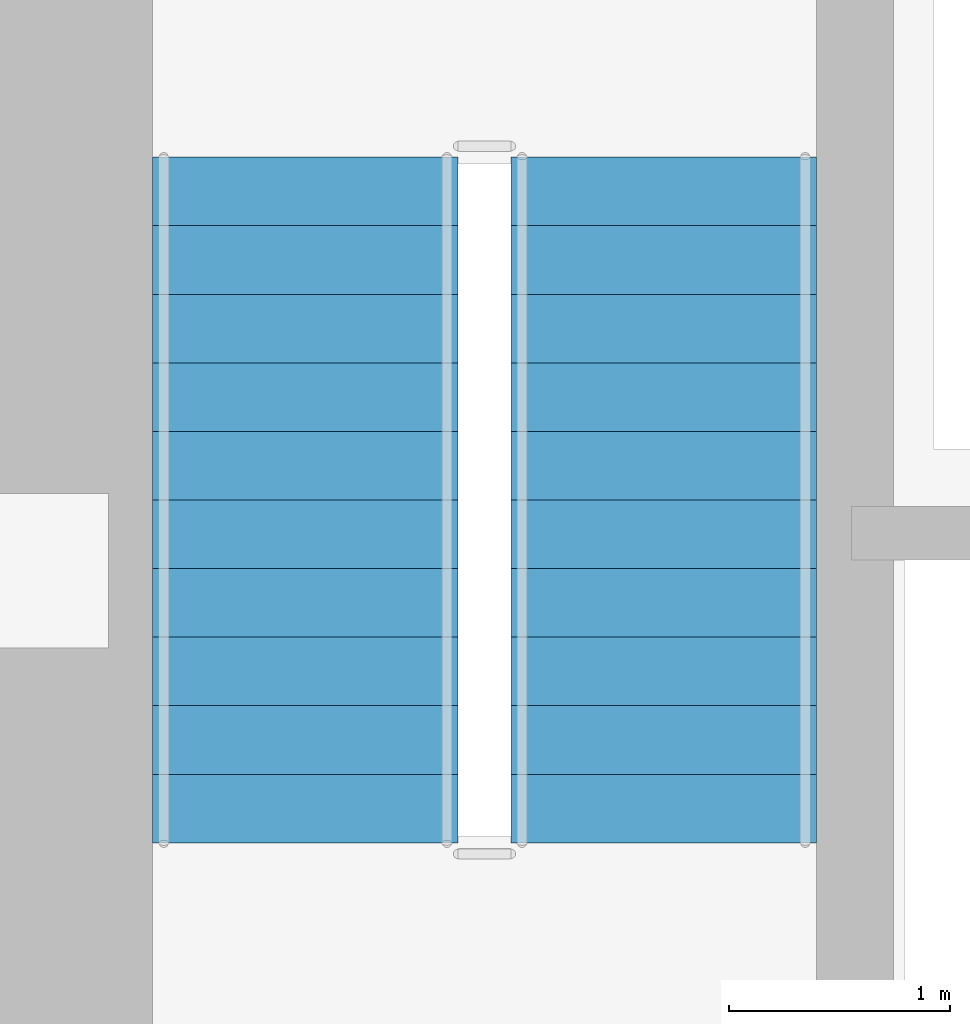
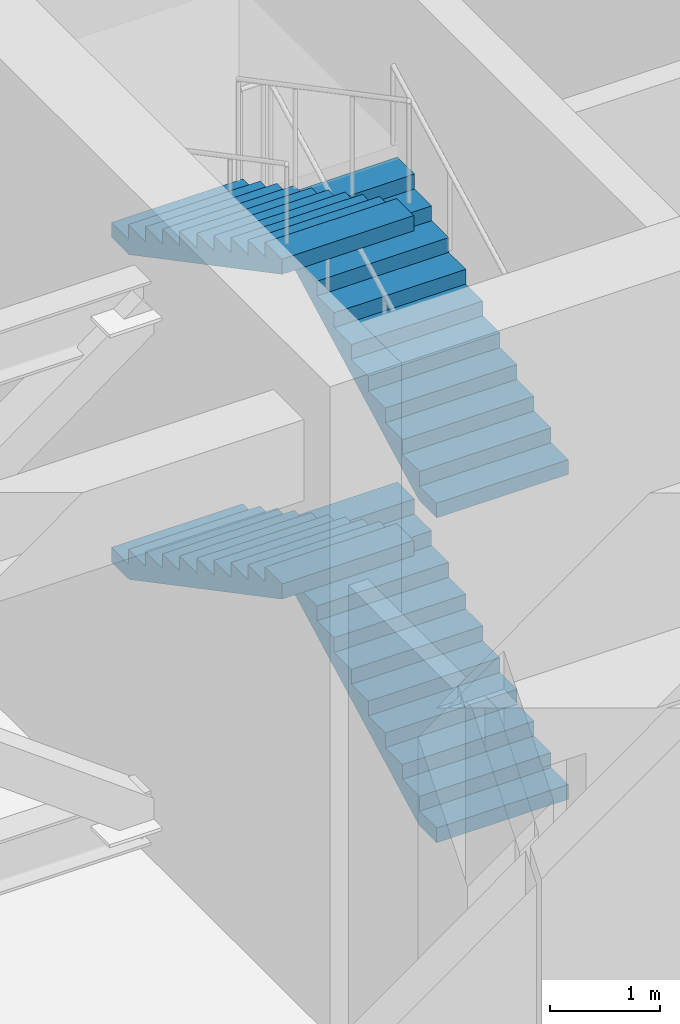
# One storey, part 6 of 10: 4 stair flights, 1 element without a shape of its own.
"""IFC4 building model written with IfcOpenShell, lengths in metres."""

from ifc_helpers import new_model, si_unit, direction, frame, origin, place, context, subcontext, project, spatial, polyline, outline, extrude, source, transform, mapped, material, type_object, element, aggregate, save


model = new_model("IFC4")

# Units and contexts
model_context = context("Model", 3, precision=1e-05, world=origin(), true_north=direction((0.0, 1.0)))
body_context = subcontext(model_context, "Body", "Model", "MODEL_VIEW")
ifc_project = project(units=[si_unit("LENGTHUNIT", "METRE"), si_unit("AREAUNIT", "SQUARE_METRE"), si_unit("VOLUMEUNIT", "CUBIC_METRE"), si_unit("PLANEANGLEUNIT", "RADIAN"), si_unit("MASSUNIT", "GRAM", prefix="KILO")], contexts=[model_context])

# Site, building, storey
site_placement = place(None, origin())
site = spatial("IfcSite", under=ifc_project, at=site_placement, CompositionType="ELEMENT")
building_placement = place(site_placement, origin())
building = spatial("IfcBuilding", under=site, at=building_placement, Name="Khoralis Quay Care Tower", CompositionType="ELEMENT")
storey_placement = place(building_placement, frame((0.0, 0.0, 148.5)))
storey = spatial("IfcBuildingStorey", under=building, at=storey_placement, Name="L39", CompositionType="ELEMENT", Elevation=148.5)

# Stair, stair flights
ifc_material = material(Name="Precast concrete C45/55", Category="concrete")
stair_type = type_object("IfcStairType", Name="ST-TWR-DOGLEG-1400", PredefinedType="HALF_TURN_STAIR", material=ifc_material)
stair_placement = place(storey_placement, origin())
stair = element("IfcStair", 1, at=stair_placement, inside=storey, type_object=stair_type, Name="L39 East Core Exit Stair ST-T2", PredefinedType="HALF_TURN_STAIR")
stair_flight_type = type_object("IfcStairFlightType", Name="SF-TWR-1400", PredefinedType="STRAIGHT", material=ifc_material)
shared_shape = source(origin(), body_context, "Body", "SweptSolid", [
    extrude(outline(polyline([(0.0, 0.0), (0.0, 0.16357421875), (0.31005859375, 0.16357421875), (0.31005859375, 0.327392578125), (0.6201171875, 0.327392578125), (0.6201171875, 0.490966796875), (0.929931640625, 0.490966796875), (0.929931640625, 0.654541015625), (1.239990234375, 0.654541015625), (1.239990234375, 0.818115234375), (1.550048828125, 0.818115234375), (1.550048828125, 0.98193359375), (1.860107421875, 0.98193359375), (1.860107421875, 1.1455078125), (2.169921875, 1.1455078125), (2.169921875, 1.30908203125), (2.47998046875, 1.30908203125), (2.47998046875, 1.47265625), (2.7900390625, 1.47265625), (2.7900390625, 1.636474609375), (3.10009765625, 1.636474609375), (3.10009765625, 1.800048828125), (3.10009765625, 1.466796875), (0.321044921875, 0.0), (0.0, 0.0)])), frame((0.0, 0.68994140625, 0.0), z_axis=(0.0, -1.0, 0.0), x_axis=(1.0, 0.0, 0.0)), (0.0, 0.0, 1.0), 1.3798828125),
])
stair_flight_1_placement = place(storey_placement, frame((33.830078125, 16.77001953125, 0.0), z_axis=(0.0, 0.0, 1.0), x_axis=(0.0, 1.0, 0.0)))
stair_flight_1 = element("IfcStairFlight", 2, at=stair_flight_1_placement, type_object=stair_flight_type, Name="ST-T2 flight 1", NumberOfRisers=11, NumberOfTreads=10, PredefinedType="STRAIGHT", RiserHeight=0.163636364, TreadLength=0.31, context=body_context, shape_type="MappedRepresentation", body=[
    mapped(shared_shape, transform((0.0, 0.0, 0.0), scale=1.0)),
])
stair_flight_2_placement = place(storey_placement, frame((32.2099609375, 19.8701171875, 1.800048828125), z_axis=(0.0, 0.0, 1.0), x_axis=(0.0, -1.0, 0.0)))
stair_flight_2 = element("IfcStairFlight", 3, at=stair_flight_2_placement, type_object=stair_flight_type, Name="ST-T2 flight 2", NumberOfRisers=11, NumberOfTreads=10, PredefinedType="STRAIGHT", RiserHeight=0.163636364, TreadLength=0.31, context=body_context, shape_type="MappedRepresentation", body=[
    mapped(shared_shape, transform((0.0, 0.0, 0.0), scale=1.0)),
])
stair_flight_3_placement = place(storey_placement, frame((33.830078125, 16.77001953125, 3.60009765625), z_axis=(0.0, 0.0, 1.0), x_axis=(0.0, 1.0, 0.0)))
stair_flight_3 = element("IfcStairFlight", 4, at=stair_flight_3_placement, type_object=stair_flight_type, Name="ST-T2 flight 3", NumberOfRisers=11, NumberOfTreads=10, PredefinedType="STRAIGHT", RiserHeight=0.163636364, TreadLength=0.31, context=body_context, shape_type="MappedRepresentation", body=[
    mapped(shared_shape, transform((0.0, 0.0, 0.0), scale=1.0)),
])
stair_flight_4_placement = place(storey_placement, frame((32.2099609375, 19.8701171875, 5.39990234375), z_axis=(0.0, 0.0, 1.0), x_axis=(0.0, -1.0, 0.0)))
stair_flight_4 = element("IfcStairFlight", 5, at=stair_flight_4_placement, type_object=stair_flight_type, Name="ST-T2 flight 4", NumberOfRisers=11, NumberOfTreads=10, PredefinedType="STRAIGHT", RiserHeight=0.163636364, TreadLength=0.31, context=body_context, shape_type="MappedRepresentation", body=[
    mapped(shared_shape, transform((0.0, 0.0, 0.0), scale=1.0)),
])
aggregate(stair, [stair_flight_1, stair_flight_2, stair_flight_3, stair_flight_4])

save(model, "model.ifc")
